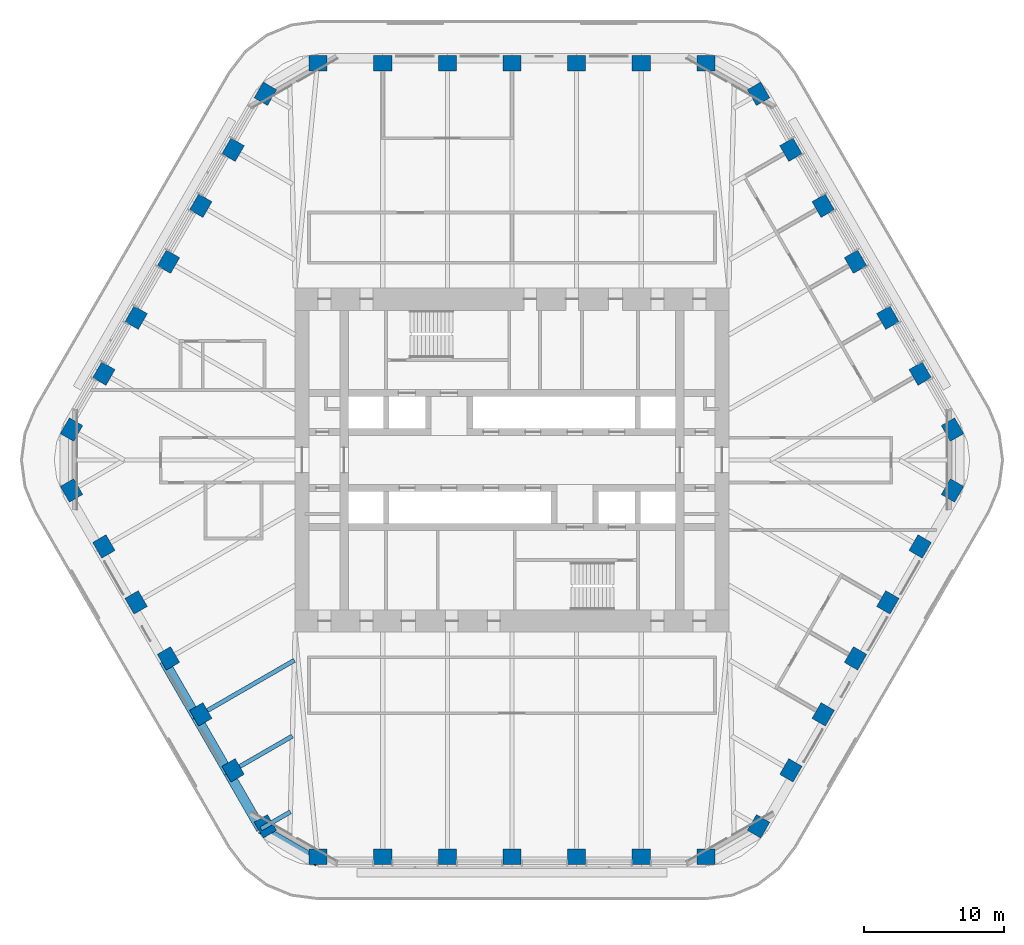
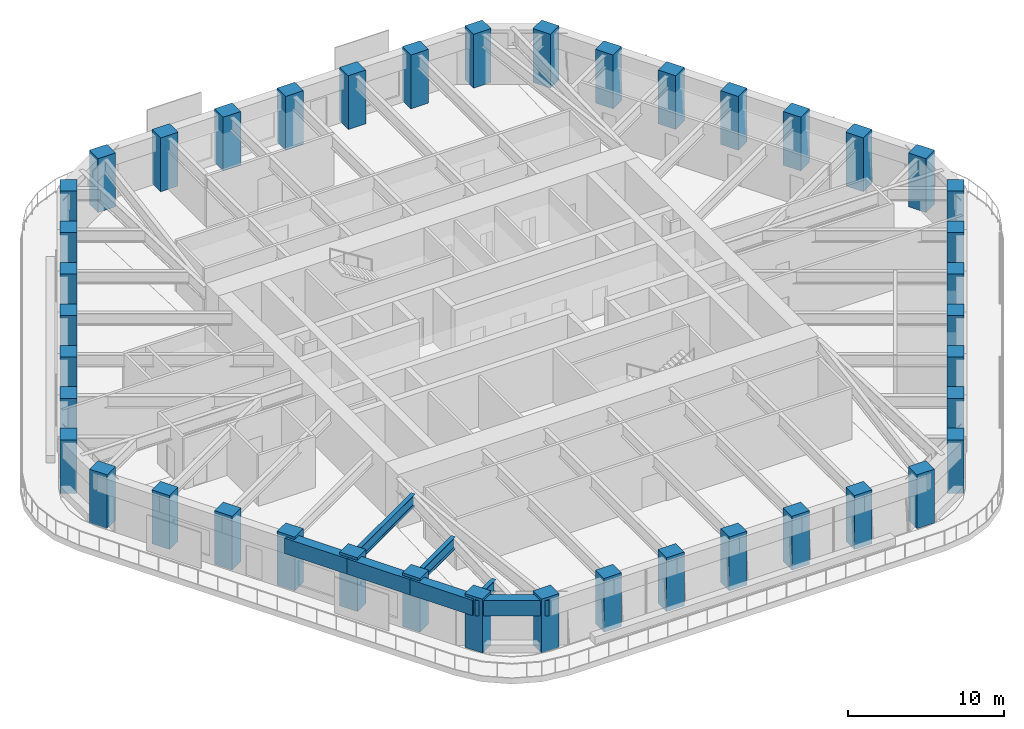
# One storey, part 1 of 20: 42 columns, 7 beams.
"""IFC4 building model written with IfcOpenShell, lengths in metres."""

from ifc_helpers import new_model, si_unit, direction, frame, origin, origin_2d, place, context, subcontext, project, spatial, rectangle, i_section, extrude, material, material_profile, profile_set, type_object, element, save


model = new_model("IFC4")

# Units and contexts
model_context = context("Model", 3, precision=1e-05, world=origin(), true_north=direction((0.0, 1.0)))
body_context = subcontext(model_context, "Body", "Model", "MODEL_VIEW")
ifc_project = project(units=[si_unit("LENGTHUNIT", "METRE"), si_unit("AREAUNIT", "SQUARE_METRE"), si_unit("VOLUMEUNIT", "CUBIC_METRE"), si_unit("PLANEANGLEUNIT", "RADIAN"), si_unit("MASSUNIT", "GRAM", prefix="KILO")], contexts=[model_context])

# Site, building, storey
site_placement = place(None, origin())
site = spatial("IfcSite", under=ifc_project, at=site_placement, CompositionType="ELEMENT")
building_placement = place(site_placement, origin())
building = spatial("IfcBuilding", under=site, at=building_placement, Name="Tarfa Lantern Tower", CompositionType="ELEMENT")
storey_placement = place(building_placement, frame((0.0, 0.0, 236.5)))
storey = spatial("IfcBuildingStorey", under=building, at=storey_placement, Name="L53", CompositionType="ELEMENT", Elevation=236.5)

# Columns
ifc_material_1 = material(Name="Concrete C80/95", Category="concrete")
ifc_material_profile_1 = material_profile(ifc_material_1, rectangle(XDim=1.300048828125, YDim=1.10009765625, at=origin_2d()), Name="RC 1300x1100")
ifc_profile_set_1 = profile_set([ifc_material_profile_1], Name="Concrete C80/95")
column_type = type_object("IfcColumnType", Name="TC10 RC 1300x1100", PredefinedType="COLUMN", material=ifc_profile_set_1)
for number, where, z_axis, x_axis, name in (
    (1, (31.47998046875, 2.175048828125, 0.0), (0.0, 0.0, 1.0), (-0.5, 0.866025403784, 0.0), "Tube column NE0"),
    (2, (29.170654296875, 6.175048828125, 0.0), (0.0, 0.0, 1.0), (-0.5, 0.866025403784, 0.0), "Tube column NE1"),
    (3, (26.861328125, 10.175048828125, 0.0), (0.0, 0.0, 1.0), (-0.5, 0.866025403784, 0.0), "Tube column NE2"),
    (4, (24.5517578125, 14.175048828125, 0.0), (0.0, 0.0, 1.0), (-0.5, 0.866025403784, 0.0), "Tube column NE3"),
    (5, (22.242431640625, 18.175048828125, 0.0), (0.0, 0.0, 1.0), (-0.5, 0.866025403784, 0.0), "Tube column NE4"),
    (6, (19.93310546875, 22.175048828125, 0.0), (0.0, 0.0, 1.0), (-0.5, 0.866025403784, 0.0), "Tube column NE5"),
    (7, (17.62353515625, 26.175048828125, 0.0), (0.0, 0.0, 1.0), (-0.5, 0.866025403784, 0.0), "Tube column NE6"),
    (8, (13.8564453125, 28.35009765625, 0.0), (0.0, 0.0, 1.0), (-1.0, 0.0, 0.0), "Tube column N0"),
    (9, (9.237548828125, 28.35009765625, 0.0), (0.0, 0.0, 1.0), (-1.0, 0.0, 0.0), "Tube column N1"),
    (10, (4.618896484375, 28.35009765625, 0.0), (0.0, 0.0, 1.0), (-1.0, 0.0, 0.0), "Tube column N2"),
    (11, (0.0, 28.35009765625, 0.0), (0.0, 0.0, 1.0), (-1.0, 0.0, 0.0), "Tube column N3"),
    (12, (-4.618896484375, 28.35009765625, 0.0), (0.0, 0.0, 1.0), (-1.0, 0.0, 0.0), "Tube column N4"),
    (13, (-9.237548828125, 28.35009765625, 0.0), (0.0, 0.0, 1.0), (-1.0, 0.0, 0.0), "Tube column N5"),
    (14, (-13.8564453125, 28.35009765625, 0.0), (0.0, 0.0, 1.0), (-1.0, 0.0, 0.0), "Tube column N6"),
    (15, (-17.62353515625, 26.175048828125, 0.0), (0.0, 0.0, 1.0), (-0.5, -0.866025403784, 0.0), "Tube column NW0"),
    (16, (-19.93310546875, 22.175048828125, 0.0), (0.0, 0.0, 1.0), (-0.5, -0.866025403784, 0.0), "Tube column NW1"),
    (17, (-22.242431640625, 18.175048828125, 0.0), (0.0, 0.0, 1.0), (-0.5, -0.866025403784, 0.0), "Tube column NW2"),
    (18, (-24.5517578125, 14.175048828125, 0.0), (0.0, 0.0, 1.0), (-0.5, -0.866025403784, 0.0), "Tube column NW3"),
    (19, (-26.861328125, 10.175048828125, 0.0), (0.0, 0.0, 1.0), (-0.5, -0.866025403784, 0.0), "Tube column NW4"),
    (20, (-29.170654296875, 6.175048828125, 0.0), (0.0, 0.0, 1.0), (-0.5, -0.866025403784, 0.0), "Tube column NW5"),
    (21, (-31.47998046875, 2.175048828125, 0.0), (0.0, 0.0, 1.0), (-0.5, -0.866025403784, 0.0), "Tube column NW6"),
    (22, (-31.47998046875, -2.175048828125, 0.0), (0.0, 0.0, 1.0), (0.5, -0.866025403784, 0.0), "Tube column SW0"),
    (23, (-29.170654296875, -6.175048828125, 0.0), (0.0, 0.0, 1.0), (0.5, -0.866025403784, 0.0), "Tube column SW1"),
    (24, (-26.861328125, -10.175048828125, 0.0), (0.0, 0.0, 1.0), (0.5, -0.866025403784, 0.0), "Tube column SW2"),
    (25, (-24.5517578125, -14.175048828125, 0.0), (0.0, 0.0, 1.0), (0.5, -0.866025403784, 0.0), "Tube column SW3"),
    (26, (-22.242431640625, -18.175048828125, 0.0), (0.0, 0.0, 1.0), (0.5, -0.866025403784, 0.0), "Tube column SW4"),
    (27, (-19.93310546875, -22.175048828125, 0.0), (0.0, 0.0, 1.0), (0.5, -0.866025403784, 0.0), "Tube column SW5"),
    (28, (-17.62353515625, -26.175048828125, 0.0), (0.0, 0.0, 1.0), (0.5, -0.866025403784, 0.0), "Tube column SW6"),
    (29, (-13.8564453125, -28.35009765625, 0.0), (0.0, 0.0, 1.0), (1.0, 0.0, 0.0), "Tube column S0"),
    (30, (-9.237548828125, -28.35009765625, 0.0), (0.0, 0.0, 1.0), (1.0, 0.0, 0.0), "Tube column S1"),
    (31, (-4.618896484375, -28.35009765625, 0.0), (0.0, 0.0, 1.0), (1.0, 0.0, 0.0), "Tube column S2"),
    (32, (0.0, -28.35009765625, 0.0), (0.0, 0.0, 1.0), (1.0, 0.0, 0.0), "Tube column S3"),
    (33, (4.618896484375, -28.35009765625, 0.0), (0.0, 0.0, 1.0), (1.0, 0.0, 0.0), "Tube column S4"),
    (34, (9.237548828125, -28.35009765625, 0.0), (0.0, 0.0, 1.0), (1.0, 0.0, 0.0), "Tube column S5"),
    (35, (13.8564453125, -28.35009765625, 0.0), (0.0, 0.0, 1.0), (1.0, 0.0, 0.0), "Tube column S6"),
    (36, (17.62353515625, -26.175048828125, 0.0), (0.0, 0.0, 1.0), (0.5, 0.866025403784, 0.0), "Tube column SE0"),
    (37, (19.93310546875, -22.175048828125, 0.0), (0.0, 0.0, 1.0), (0.5, 0.866025403784, 0.0), "Tube column SE1"),
    (38, (22.242431640625, -18.175048828125, 0.0), (0.0, 0.0, 1.0), (0.5, 0.866025403784, 0.0), "Tube column SE2"),
    (39, (24.5517578125, -14.175048828125, 0.0), (0.0, 0.0, 1.0), (0.5, 0.866025403784, 0.0), "Tube column SE3"),
    (40, (26.861328125, -10.175048828125, 0.0), (0.0, 0.0, 1.0), (0.5, 0.866025403784, 0.0), "Tube column SE4"),
    (41, (29.170654296875, -6.175048828125, 0.0), (0.0, 0.0, 1.0), (0.5, 0.866025403784, 0.0), "Tube column SE5"),
    (42, (31.47998046875, -2.175048828125, 0.0), (0.0, 0.0, 1.0), (0.5, 0.866025403784, 0.0), "Tube column SE6"),
):
    element("IfcColumn", number, at=place(storey_placement, frame(where, z_axis=z_axis, x_axis=x_axis)), inside=storey, type_object=column_type, Name=name, PredefinedType="COLUMN", context=body_context, shape_type="SweptSolid", body=[
        extrude(rectangle(XDim=1.300048828125, YDim=1.10009765625, at=origin_2d()), origin(), (0.0, 0.0, 1.0), 4.199951171875),
    ])

# Beams
ifc_material_profile_2 = material_profile(ifc_material_1, rectangle(XDim=0.699951171875, YDim=1.199951171875, at=origin_2d()), Name="RC 700x1200")
ifc_profile_set_2 = profile_set([ifc_material_profile_2], Name="Concrete C80/95")
beam_type_1 = type_object("IfcBeamType", Name="EB3 RC 700x1200", PredefinedType="SPANDREL", material=ifc_profile_set_2)
beam_1_placement = place(storey_placement, frame((-24.872314453125, -14.360107421875, 3.39990234375), z_axis=(0.500027479704, -0.866009537788, 0.0), x_axis=(0.866009537788, 0.500027479704, 0.0)))
element("IfcBeam", 43, at=beam_1_placement, inside=storey, type_object=beam_type_1, Name="Edge beam SW3", PredefinedType="SPANDREL", context=body_context, shape_type="SweptSolid", body=[
    extrude(rectangle(XDim=0.699951171875, YDim=1.199951171875, at=origin_2d()), origin(), (0.0, 0.0, 1.0), 4.618896484375),
])
for number, where, z_axis, x_axis, name in (
    (44, (-22.562744140625, -18.360107421875, 3.39990234375), (0.499987836815, -0.866032426089, 0.0), (0.866032426089, 0.499987836815, 0.0), "Edge beam SW4"),
    (45, (-20.25341796875, -22.360107421875, 3.39990234375), (0.499987836815, -0.866032426089, 0.0), (0.866032426089, 0.499987836815, 0.0), "Edge beam SW5"),
):
    element("IfcBeam", number, at=place(storey_placement, frame(where, z_axis=z_axis, x_axis=x_axis)), inside=storey, type_object=beam_type_1, Name=name, PredefinedType="SPANDREL", context=body_context, shape_type="SweptSolid", body=[
        extrude(rectangle(XDim=0.699951171875, YDim=1.199951171875, at=origin_2d()), origin(), (0.0, 0.0, 1.0), 4.61865234375),
    ])
beam_2_placement = place(storey_placement, frame((-17.944091796875, -26.360107421875, 3.39990234375), z_axis=(0.866038294681, -0.499977671647, 0.0), x_axis=(0.499977671647, 0.866038294681, 0.0)))
element("IfcBeam", 46, at=beam_2_placement, inside=storey, type_object=beam_type_1, Name="Edge beam SW6", PredefinedType="SPANDREL", context=body_context, shape_type="SweptSolid", body=[
    extrude(rectangle(XDim=0.699951171875, YDim=1.199951171875, at=origin_2d()), origin(), (0.0, 0.0, 1.0), 4.719970703125),
])
ifc_material_2 = material(Name="Steel S460M", Category="steel")
ifc_material_profile_3 = material_profile(ifc_material_2, i_section(OverallWidth=0.305419921875, OverallDepth=0.91845703125, WebThickness=0.017333984375, FlangeThickness=0.02783203125, FilletRadius=0.01904296875, at=origin_2d()), Name="UB914x305x253")
ifc_profile_set_3 = profile_set([ifc_material_profile_3], Name="Steel S460M")
beam_type_2 = type_object("IfcBeamType", Name="UB914x305x253", PredefinedType="BEAM", material=ifc_profile_set_3)
beam_3_placement = place(storey_placement, frame((-22.562744140625, -18.360107421875, 3.540771484375), z_axis=(0.866010787764, 0.500025314835, 0.0), x_axis=(-0.500025314835, 0.866010787764, 0.0)))
element("IfcBeam", 47, at=beam_3_placement, inside=storey, type_object=beam_type_2, Name="Floor beam SW4", PredefinedType="BEAM", context=body_context, shape_type="SweptSolid", body=[
    extrude(i_section(OverallWidth=0.305419921875, OverallDepth=0.91845703125, WebThickness=0.017333984375, FlangeThickness=0.02783203125, FilletRadius=0.01904296875, at=origin_2d()), origin(), (0.0, 0.0, 1.0), 8.09423828125),
])
beam_4_placement = place(storey_placement, frame((-20.25341796875, -22.360107421875, 3.540771484375), z_axis=(0.86601951648, 0.500010196972, 0.0), x_axis=(-0.500010196972, 0.86601951648, 0.0)))
element("IfcBeam", 48, at=beam_4_placement, inside=storey, type_object=beam_type_2, Name="Floor beam SW5", PredefinedType="BEAM", context=body_context, shape_type="SweptSolid", body=[
    extrude(i_section(OverallWidth=0.305419921875, OverallDepth=0.91845703125, WebThickness=0.017333984375, FlangeThickness=0.02783203125, FilletRadius=0.01904296875, at=origin_2d()), origin(), (0.0, 0.0, 1.0), 5.263671875),
])
beam_5_placement = place(storey_placement, frame((-17.944091796875, -26.360107421875, 3.540771484375), z_axis=(0.865980009423, 0.5000786171, 0.0), x_axis=(-0.5000786171, 0.865980009423, 0.0)))
element("IfcBeam", 49, at=beam_5_placement, inside=storey, type_object=beam_type_2, Name="Floor beam SW6", PredefinedType="BEAM", context=body_context, shape_type="SweptSolid", body=[
    extrude(i_section(OverallWidth=0.305419921875, OverallDepth=0.91845703125, WebThickness=0.017333984375, FlangeThickness=0.02783203125, FilletRadius=0.01904296875, at=origin_2d()), origin(), (0.0, 0.0, 1.0), 2.4326171875),
])

save(model, "model.ifc")
